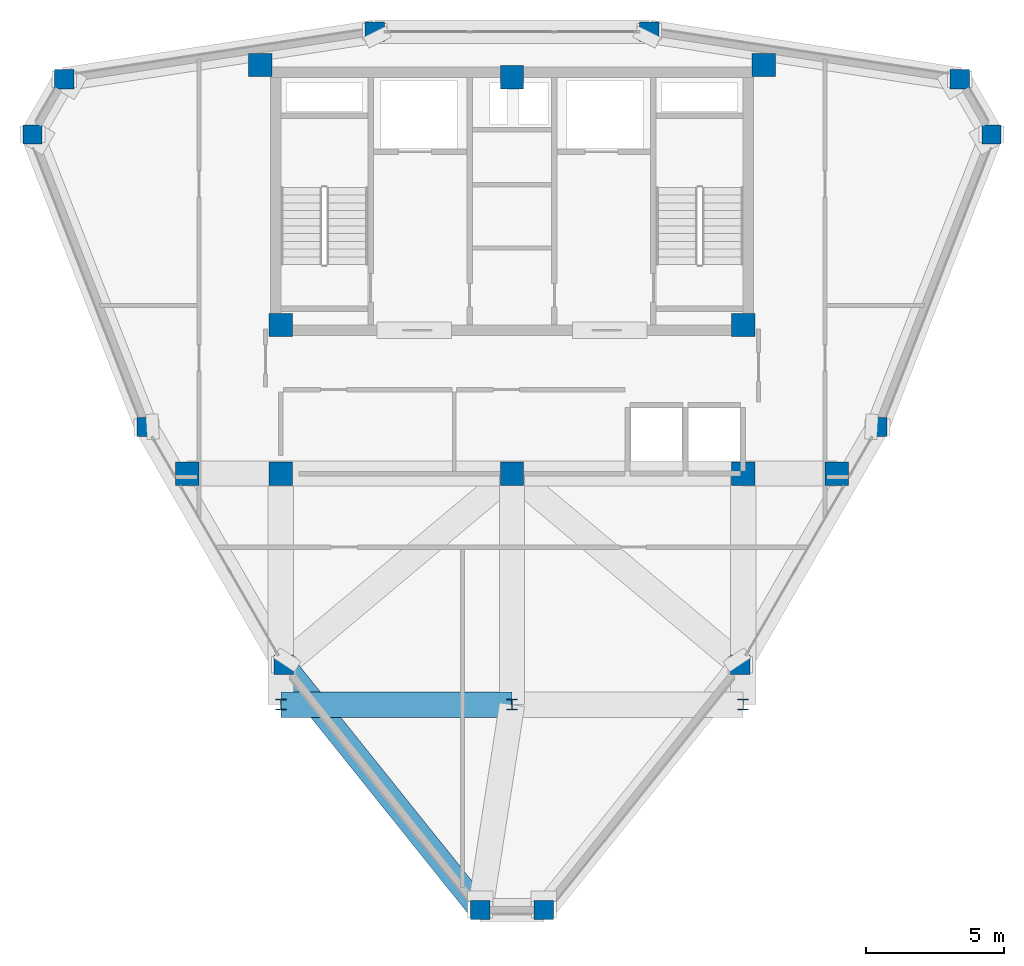
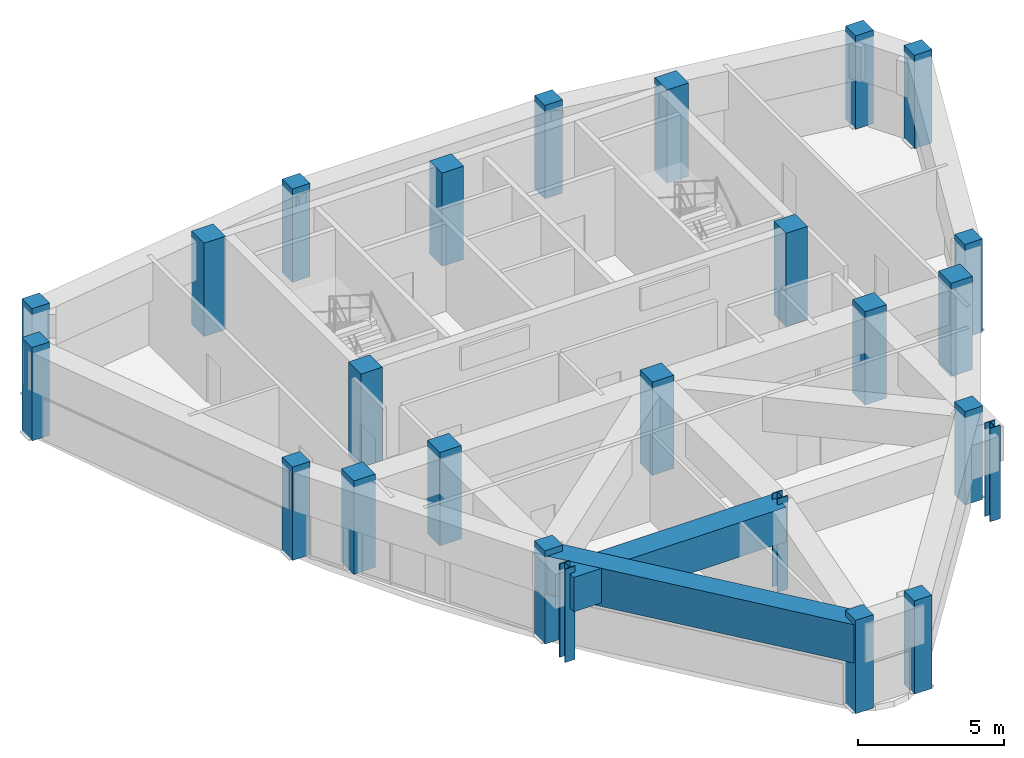
# One storey, part 1 of 13: 25 columns, 2 beams.
"""IFC4 building model written with IfcOpenShell, lengths in metres."""

from ifc_helpers import new_model, si_unit, derived_unit, direction, frame, origin, origin_2d, place, context, subcontext, project, spatial, rectangle, i_section, extrude, source, transform, mapped, material, material_profile, profile_set, type_object, element, save


model = new_model("IFC4")

# Units and contexts
model_context = context("Model", 3, precision=1e-05, world=origin(), true_north=direction((0.0, 1.0)))
body_context = subcontext(model_context, "Body", "Model", "MODEL_VIEW")
ifc_project = project(units=[si_unit("LENGTHUNIT", "METRE"), si_unit("AREAUNIT", "SQUARE_METRE"), si_unit("VOLUMEUNIT", "CUBIC_METRE"), si_unit("PLANEANGLEUNIT", "RADIAN"), si_unit("MASSUNIT", "GRAM", prefix="KILO"), derived_unit("THERMALTRANSMITTANCEUNIT", [(si_unit("POWERUNIT", "WATT"), 1), (si_unit("LENGTHUNIT", "METRE"), -2), (si_unit("THERMODYNAMICTEMPERATUREUNIT", "KELVIN"), -1)])], contexts=[model_context])

# Site, building, storey
site_placement = place(None, origin())
site = spatial("IfcSite", under=ifc_project, at=site_placement, CompositionType="ELEMENT")
building_placement = place(site_placement, origin())
building = spatial("IfcBuilding", under=site, at=building_placement, Name="Korsvarv Bourse and Concert Hall", CompositionType="ELEMENT")
storey_placement = place(building_placement, frame((0.0, 0.0, 292.199951171875)))
storey = spatial("IfcBuildingStorey", under=building, at=storey_placement, Name="L76", CompositionType="ELEMENT", Elevation=292.199951171875)

# Columns
ifc_material_1 = material(Name="Concrete C50/60", Category="concrete")
ifc_material_profile_1 = material_profile(ifc_material_1, rectangle(XDim=0.85009765625, YDim=0.85009765625, at=origin_2d()), Name="RC 850x850")
ifc_profile_set_1 = profile_set([ifc_material_profile_1], Name="Concrete C50/60")
column_type_1 = type_object("IfcColumnType", Name="COL-RC850", PredefinedType="COLUMN", material=ifc_profile_set_1)
shared_shape_1 = source(origin(), body_context, "Body", "SweptSolid", [
    extrude(rectangle(XDim=0.85009765625, YDim=0.85009765625, at=origin_2d()), origin(), (0.0, 0.0, 1.0), 3.900146484375),
])
for number, where, z_axis, x_axis, name in (
    (1, (26.85009765625, 47.25, 0.0), (0.0, 0.0, 1.0), (1.0, 0.0, 0.0), "L76 column C-04"),
    (2, (45.14990234375, 47.25, 0.0), (0.0, 0.0, 1.0), (1.0, 0.0, 0.0), "L76 column C-04"),
    (3, (27.60009765625, 37.800048828125, 0.0), (0.0, 0.0, 1.0), (1.0, 0.0, 0.0), "L76 column C-04"),
    (4, (44.39990234375, 37.800048828125, 0.0), (0.0, 0.0, 1.0), (1.0, 0.0, 0.0), "L76 column C-04"),
    (5, (27.60009765625, 32.39990234375, 0.0), (0.0, 0.0, 1.0), (1.0, 0.0, 0.0), "L76 column C-04"),
    (6, (44.39990234375, 32.39990234375, 0.0), (0.0, 0.0, 1.0), (1.0, 0.0, 0.0), "L76 column C-04"),
    (7, (36.0, 46.800048828125, 0.0), (0.0, 0.0, 1.0), (1.0, 0.0, 0.0), "L76 column C-04"),
    (8, (36.0, 32.39990234375, 0.0), (0.0, 0.0, 1.0), (1.0, 0.0, 0.0), "L76 column C-04"),
    (9, (24.199951171875, 32.39990234375, 0.0), (0.0, 0.0, 1.0), (1.0, 0.0, 0.0), "L76 column C-04"),
    (10, (47.800048828125, 32.39990234375, 0.0), (0.0, 0.0, 1.0), (1.0, 0.0, 0.0), "L76 column C-04"),
):
    element("IfcColumn", number, at=place(storey_placement, frame(where, z_axis=z_axis, x_axis=x_axis)), inside=storey, type_object=column_type_1, Name=name, PredefinedType="COLUMN", context=body_context, shape_type="MappedRepresentation", body=[
        mapped(shared_shape_1, transform((0.0, 0.0, 0.0), scale=1.0)),
    ])
ifc_material_2 = material(Name="Steel S355", Category="steel")
ifc_material_profile_2 = material_profile(ifc_material_2, i_section(OverallWidth=0.40087890625, OverallDepth=0.39892578125, WebThickness=0.0224609375, FlangeThickness=0.035888671875, FilletRadius=0.014892578125, at=origin_2d()), Name="HD 400x314")
ifc_profile_set_2 = profile_set([ifc_material_profile_2], Name="Steel S355")
column_type_2 = type_object("IfcColumnType", Name="COL-HD314", PredefinedType="COLUMN", material=ifc_profile_set_2)
shared_shape_2 = source(origin(), body_context, "Body", "SweptSolid", [
    extrude(i_section(OverallWidth=0.40087890625, OverallDepth=0.39892578125, WebThickness=0.0224609375, FlangeThickness=0.035888671875, FilletRadius=0.014892578125, at=origin_2d()), origin(), (0.0, 0.0, 1.0), 3.900146484375),
])
for number, where, z_axis, x_axis, name in (
    (11, (27.60009765625, 24.0, 0.0), (0.0, 0.0, 1.0), (1.0, 0.0, 0.0), "L76 column C-11"),
    (12, (44.39990234375, 24.0, 0.0), (0.0, 0.0, 1.0), (1.0, 0.0, 0.0), "L76 column C-11"),
    (13, (36.0, 24.0, 0.0), (0.0, 0.0, 1.0), (1.0, 0.0, 0.0), "L76 column C-11"),
):
    element("IfcColumn", number, at=place(storey_placement, frame(where, z_axis=z_axis, x_axis=x_axis)), inside=storey, type_object=column_type_2, Name=name, PredefinedType="COLUMN", context=body_context, shape_type="MappedRepresentation", body=[
        mapped(shared_shape_2, transform((0.0, 0.0, 0.0), scale=1.0)),
    ])
ifc_material_profile_3 = material_profile(ifc_material_1, rectangle(XDim=0.699951171875, YDim=0.699951171875, at=origin_2d()), Name="RC 700x700")
ifc_profile_set_3 = profile_set([ifc_material_profile_3], Name="Concrete C50/60")
column_type_3 = type_object("IfcColumnType", Name="COL-RC700", PredefinedType="COLUMN", material=ifc_profile_set_3)
shared_shape_3 = source(origin(), body_context, "Body", "SweptSolid", [
    extrude(rectangle(XDim=0.699951171875, YDim=0.699951171875, at=origin_2d()), origin(), (0.0, 0.0, 1.0), 3.900146484375),
])
for number, where, z_axis, x_axis, name in (
    (14, (53.43310546875, 44.727294921875, 0.0), (0.0, 0.0, 1.0), (1.0, 0.0, 0.0), "L76 column C-05"),
    (15, (52.274658203125, 46.73388671875, 0.0), (0.0, 0.0, 1.0), (1.0, 0.0, 0.0), "L76 column C-05"),
    (16, (40.989013671875, 48.4619140625, 0.0), (0.0, 0.0, 1.0), (1.0, 0.0, 0.0), "L76 column C-05"),
    (17, (31.010986328125, 48.4619140625, 0.0), (0.0, 0.0, 1.0), (1.0, 0.0, 0.0), "L76 column C-05"),
    (18, (19.725341796875, 46.73388671875, 0.0), (0.0, 0.0, 1.0), (1.0, 0.0, 0.0), "L76 column C-05"),
    (19, (18.56689453125, 44.727294921875, 0.0), (0.0, 0.0, 1.0), (1.0, 0.0, 0.0), "L76 column C-05"),
    (20, (22.713134765625, 34.089599609375, 0.0), (0.0, 0.0, 1.0), (1.0, 0.0, 0.0), "L76 column C-05"),
    (21, (27.7021484375, 25.448486328125, 0.0), (0.0, 0.0, 1.0), (1.0, 0.0, 0.0), "L76 column C-05"),
    (22, (34.841552734375, 16.538818359375, 0.0), (0.0, 0.0, 1.0), (1.0, 0.0, 0.0), "L76 column C-05"),
    (23, (37.158447265625, 16.538818359375, 0.0), (0.0, 0.0, 1.0), (1.0, 0.0, 0.0), "L76 column C-05"),
    (24, (44.2978515625, 25.448486328125, 0.0), (0.0, 0.0, 1.0), (1.0, 0.0, 0.0), "L76 column C-05"),
    (25, (49.286865234375, 34.089599609375, 0.0), (0.0, 0.0, 1.0), (1.0, 0.0, 0.0), "L76 column C-05"),
):
    element("IfcColumn", number, at=place(storey_placement, frame(where, z_axis=z_axis, x_axis=x_axis)), inside=storey, type_object=column_type_3, Name=name, PredefinedType="COLUMN", context=body_context, shape_type="MappedRepresentation", body=[
        mapped(shared_shape_3, transform((0.0, 0.0, 0.0), scale=1.0)),
    ])

# Beams
ifc_material_profile_4 = material_profile(ifc_material_1, rectangle(XDim=0.919921875, YDim=1.43994140625, at=origin_2d()), Name="RC-BM 920x1440")
ifc_profile_set_4 = profile_set([ifc_material_profile_4], Name="Concrete C50/60")
beam_type_1 = type_object("IfcBeamType", Name="BM-TR-144", PredefinedType="BEAM", material=ifc_profile_set_4)
shared_shape_4 = source(origin(), body_context, "Body", "SweptSolid", [
    extrude(rectangle(XDim=0.919921875, YDim=1.43994140625, at=origin_2d()), origin(), (0.0, 0.0, 1.0), 8.39990234375),
])
beam_1_placement = place(storey_placement, frame((27.60009765625, 24.0, 2.929931640625), z_axis=(1.0, 0.0, 0.0), x_axis=(0.0, 1.0, 0.0)))
element("IfcBeam", 26, at=beam_1_placement, inside=storey, type_object=beam_type_1, Name="L76 beam B-TR4", PredefinedType="BEAM", context=body_context, shape_type="MappedRepresentation", body=[
    mapped(shared_shape_4, transform((0.0, 0.0, 0.0), scale=1.0)),
])
ifc_material_3 = material(Name="Concrete C55/67", Category="concrete")
ifc_material_profile_5 = material_profile(ifc_material_3, rectangle(XDim=0.85009765625, YDim=1.60009765625, at=origin_2d()), Name="RC-BM 850x1600")
ifc_profile_set_5 = profile_set([ifc_material_profile_5], Name="Concrete C55/67")
beam_type_2 = type_object("IfcBeamType", Name="BM-TR1B", PredefinedType="BEAM", material=ifc_profile_set_5)
shared_shape_5 = source(origin(), body_context, "Body", "SweptSolid", [
    extrude(rectangle(XDim=0.85009765625, YDim=1.60009765625, at=origin_2d()), origin(), (0.0, 0.0, 1.0), 11.417236328125),
])
beam_2_placement = place(storey_placement, frame((27.7021484375, 25.448486328125, 2.85009765625), z_axis=(0.625318099776, -0.780369959758, 0.0), x_axis=(0.780369959758, 0.625318099776, 0.0)))
element("IfcBeam", 27, at=beam_2_placement, inside=storey, type_object=beam_type_2, Name="L76 beam B-TR2", PredefinedType="BEAM", context=body_context, shape_type="MappedRepresentation", body=[
    mapped(shared_shape_5, transform((0.0, 0.0, 0.0), scale=1.0)),
])

save(model, "model.ifc")
